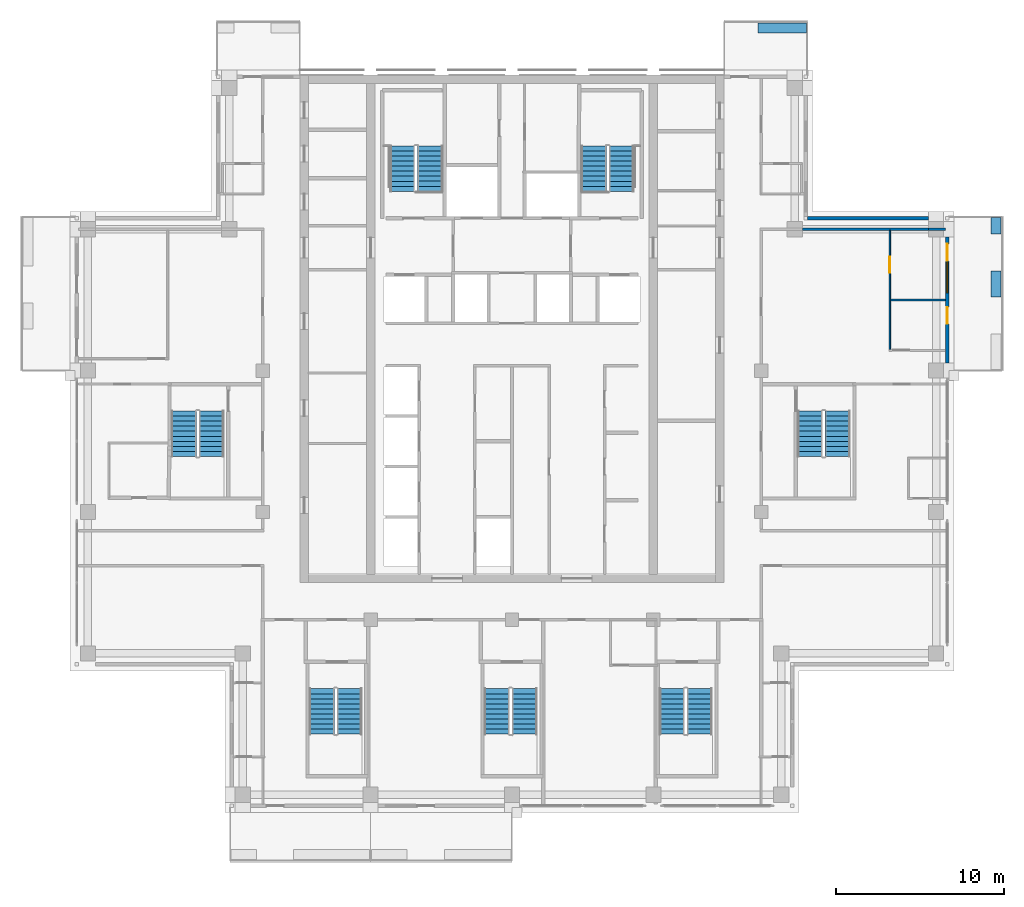
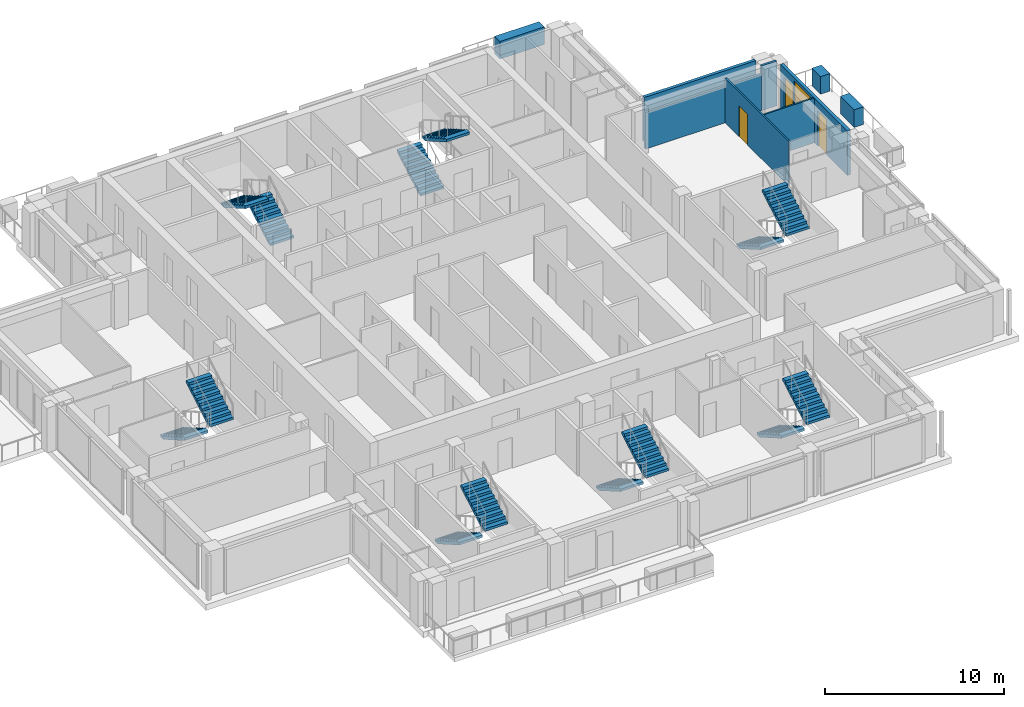
# One storey, part 12 of 15: 14 stair flights, 9 walls, 3 doors, 1 window, 4 openings, 7 elements without a shape of their own.
"""IFC4 building model written with IfcOpenShell, lengths in metres."""

from ifc_helpers import new_model, si_unit, direction, frame, frame_2d, origin, place, context, subcontext, project, spatial, polyline, rectangle, outline, extrude, material, layer, layer_set, type_object, element, fill, aggregate, save


model = new_model("IFC4")

# Units and contexts
model_context = context("Model", 3, precision=1e-05, world=origin(), true_north=direction((0.0, 1.0)))
body_context = subcontext(model_context, "Body", "Model", "MODEL_VIEW")
ifc_project = project(units=[si_unit("LENGTHUNIT", "METRE"), si_unit("AREAUNIT", "SQUARE_METRE"), si_unit("VOLUMEUNIT", "CUBIC_METRE"), si_unit("PLANEANGLEUNIT", "RADIAN"), si_unit("MASSUNIT", "GRAM", prefix="KILO")], contexts=[model_context])

# Site, building, storey
site_placement = place(None, origin())
site = spatial("IfcSite", under=ifc_project, at=site_placement, CompositionType="ELEMENT")
building_placement = place(site_placement, origin())
building = spatial("IfcBuilding", under=site, at=building_placement, Name="Vermilion Ogive Tower", CompositionType="ELEMENT")
storey_placement = place(building_placement, frame((0.0, 0.0, 237.25)))
storey = spatial("IfcBuildingStorey", under=building, at=storey_placement, Name="L62", CompositionType="ELEMENT", Elevation=237.25)

# Wall
ifc_material_1 = material(Name="Gypsum board partition on steel studs", Category="steel")
ifc_layer_1 = layer(ifc_material_1, 0.10009765625)
ifc_layer_set_1 = layer_set([ifc_layer_1], Name="Partition 100 inner")
wall_type_1 = type_object("IfcWallType", Name="Partition 100 inner", PredefinedType="PARTITIONING", material=ifc_layer_set_1)
wall_1_placement = place(storey_placement, frame((22.5, 8.39990234375, 0.0), z_axis=(0.0, 0.0, 1.0), x_axis=(1.0, 0.0, 0.0)))
element("IfcWall", 1, at=wall_1_placement, inside=storey, type_object=wall_type_1, Name="L62-W-W031", PredefinedType="PARTITIONING", context=body_context, shape_type="SweptSolid", body=[
    extrude(rectangle(XDim=3.25, YDim=0.10009765625, at=frame_2d((1.625, 0.0))), origin(), (0.0, 0.0, 1.0), 3.050048828125),
])

# Wall, opening, door
wall_2_placement = place(storey_placement, frame((22.449951171875, 5.449951171875, 0.0), z_axis=(0.0, 0.0, 1.0), x_axis=(0.0, 1.0, 0.0)))
wall_2 = element("IfcWall", 2, at=wall_2_placement, inside=storey, type_object=wall_type_1, Name="L62-W-W075", PredefinedType="PARTITIONING", context=body_context, shape_type="SweptSolid", body=[
    extrude(rectangle(XDim=7.074951171875, YDim=0.10009765625, at=frame_2d((3.53759765625, 0.0))), origin(), (0.0, 0.0, 1.0), 3.050048828125),
])
opening_1_placement = place(wall_2_placement, frame((4.574951171875, 0.0, 0.0)))
opening_1 = element("IfcOpeningElement", 3, at=opening_1_placement, cuts=wall_2, Name="Opening D5G2017", PredefinedType="OPENING", context=body_context, shape_type="SweptSolid", body=[
    extrude(rectangle(XDim=0.949951171875, YDim=2.10009765625, at=frame_2d((0.47509765625, 1.050048828125))), frame((0.0, 0.06005859375, 0.0), z_axis=(0.0, -1.0, 0.0), x_axis=(1.0, 0.0, 0.0)), (0.0, 0.0, 1.0), 0.1201171875),
])
ifc_material_2 = material(Name="Timber door leaf", Category="wood")
door_type_1 = type_object("IfcDoorType", Name="Inner door 950 x 2100 FD30", OperationType="SINGLE_SWING_LEFT", PredefinedType="DOOR", material=ifc_material_2)
door_1_placement = place(opening_1_placement, origin())
door_1 = element("IfcDoor", 4, at=door_1_placement, inside=storey, type_object=door_type_1, Name="L62-D-D017", OperationType="SINGLE_SWING_RIGHT", OverallHeight=2.10009765625, OverallWidth=0.949951171875, PredefinedType="DOOR", context=body_context, shape_type="SweptSolid", body=[
    extrude(rectangle(XDim=0.949951171875, YDim=2.10009765625, at=frame_2d((0.47509765625, 1.050048828125))), frame((0.0, 0.02490234375, 0.0), z_axis=(0.0, -1.0, 0.0), x_axis=(1.0, 0.0, 0.0)), (0.0, 0.0, 1.0), 0.050048828125),
])
fill(opening_1, door_1)

# Walls
ifc_material_3 = material(Name="Gypsum board partition on steel studs", Category="steel")
ifc_layer_2 = layer(ifc_material_3, 0.14990234375)
ifc_layer_set_2 = layer_set([ifc_layer_2], Name="Partition 150 corridor")
wall_type_2 = type_object("IfcWallType", Name="Partition 150 corridor", PredefinedType="PARTITIONING", material=ifc_layer_set_2)
wall_3_placement = place(storey_placement, frame((17.25, 12.60009765625, 0.0), z_axis=(0.0, 0.0, 1.0), x_axis=(1.0, 0.0, 0.0)))
element("IfcWall", 5, at=wall_3_placement, inside=storey, type_object=wall_type_2, Name="L62-W-W033-h1", PredefinedType="PARTITIONING", context=body_context, shape_type="SweptSolid", body=[
    extrude(rectangle(XDim=7.5, YDim=0.14990234375, at=frame_2d((3.75, 0.0))), origin(), (0.0, 0.0, 1.0), 2.5),
])
wall_4_placement = place(storey_placement, frame((24.75, 12.60009765625, 0.0), z_axis=(0.0, 0.0, 1.0), x_axis=(1.0, 0.0, 0.0)))
element("IfcWall", 6, at=wall_4_placement, inside=storey, type_object=wall_type_2, Name="L62-W-W033-h2", PredefinedType="PARTITIONING", context=body_context, shape_type="SweptSolid", body=[
    extrude(rectangle(XDim=1.0, YDim=0.14990234375, at=frame_2d((0.5, 0.0))), origin(), (0.0, 0.0, 1.0), 3.050048828125),
])
ifc_material_4 = material(Name="Concrete B40", Category="concrete")
ifc_layer_3 = layer(ifc_material_4, 0.60009765625)
ifc_layer_set_3 = layer_set([ifc_layer_3], Name="Structural planter")
wall_type_3 = type_object("IfcWallType", Name="Structural planter", PredefinedType="USERDEFINED", material=ifc_layer_set_3)
wall_5_placement = place(storey_placement, frame((28.75, 8.574951171875, -0.0400390625), z_axis=(0.0, 0.0, 1.0), x_axis=(0.0, 1.0, 0.0)))
element("IfcWall", 7, at=wall_5_placement, inside=storey, type_object=wall_type_3, Name="Planter E03A2", ObjectType="PLANTER", PredefinedType="USERDEFINED", context=body_context, shape_type="SweptSolid", body=[
    extrude(rectangle(XDim=1.550048828125, YDim=0.60009765625, at=frame_2d((0.77490234375, 0.0))), origin(), (0.0, 0.0, 1.0), 1.199951171875),
])
wall_6_placement = place(storey_placement, frame((28.75, 12.324951171875, -0.0400390625), z_axis=(0.0, 0.0, 1.0), x_axis=(0.0, 1.0, 0.0)))
element("IfcWall", 8, at=wall_6_placement, inside=storey, type_object=wall_type_3, Name="Planter E03A3", ObjectType="PLANTER", PredefinedType="USERDEFINED", context=body_context, shape_type="SweptSolid", body=[
    extrude(rectangle(XDim=0.965087890625, YDim=0.60009765625, at=frame_2d((0.482421875, 0.0))), origin(), (0.0, 0.0, 1.0), 1.199951171875),
])
wall_7_placement = place(storey_placement, frame((17.489990234375, 24.550048828125, -0.0400390625), z_axis=(0.0, 0.0, 1.0), x_axis=(-1.0, 0.0, 0.0)))
element("IfcWall", 9, at=wall_7_placement, inside=storey, type_object=wall_type_3, Name="Planter N101A1", ObjectType="PLANTER", PredefinedType="USERDEFINED", context=body_context, shape_type="SweptSolid", body=[
    extrude(rectangle(XDim=2.864990234375, YDim=0.60009765625, at=frame_2d((1.4326171875, 0.0))), origin(), (0.0, 0.0, 1.0), 1.199951171875),
])

# Wall, openings, doors, window
ifc_material_5 = material(Name="Aluminium window wall framing", Category="aluminium")
ifc_layer_4 = layer(ifc_material_5, 0.199951171875)
ifc_layer_set_4 = layer_set([ifc_layer_4], Name="Window wall")
wall_type_4 = type_object("IfcWallType", Name="Window wall", PredefinedType="STANDARD", material=ifc_layer_set_4)
wall_8_placement = place(storey_placement, frame((25.85009765625, 4.64990234375, 0.0), z_axis=(0.0, 0.0, 1.0), x_axis=(0.0, 1.0, 0.0)))
wall_8 = element("IfcWall", 10, at=wall_8_placement, inside=storey, type_object=wall_type_4, Name="Window wall E3", PredefinedType="STANDARD", context=body_context, shape_type="SweptSolid", body=[
    extrude(rectangle(XDim=7.5, YDim=0.199951171875, at=frame_2d((3.75, 0.0))), origin(), (0.0, 0.0, 1.0), 3.050048828125),
])
opening_2_placement = place(wall_8_placement, frame((2.324951171875, 0.0, 0.0)))
opening_2 = element("IfcOpeningElement", 11, at=opening_2_placement, cuts=wall_8, Name="Opening D1-E01", PredefinedType="OPENING", context=body_context, shape_type="SweptSolid", body=[
    extrude(rectangle(XDim=1.0, YDim=2.39990234375, at=frame_2d((0.5, 1.199951171875))), frame((0.0, 0.10986328125, 0.0), z_axis=(0.0, -1.0, 0.0), x_axis=(1.0, 0.0, 0.0)), (0.0, 0.0, 1.0), 0.219970703125),
])
opening_3_placement = place(wall_8_placement, frame((4.175048828125, 0.0, 0.199951171875)))
opening_3 = element("IfcOpeningElement", 12, at=opening_3_placement, cuts=wall_8, Name="Opening W1-E02", PredefinedType="OPENING", context=body_context, shape_type="SweptSolid", body=[
    extrude(rectangle(XDim=1.800048828125, YDim=2.64990234375, at=frame_2d((0.89990234375, 1.324951171875))), frame((0.0, 0.10986328125, 0.0), z_axis=(0.0, -1.0, 0.0), x_axis=(1.0, 0.0, 0.0)), (0.0, 0.0, 1.0), 0.219970703125),
])
opening_4_placement = place(wall_8_placement, frame((6.074951171875, 0.0, 0.0)))
opening_4 = element("IfcOpeningElement", 13, at=opening_4_placement, cuts=wall_8, Name="Opening D1-E02", PredefinedType="OPENING", context=body_context, shape_type="SweptSolid", body=[
    extrude(rectangle(XDim=1.0, YDim=2.39990234375, at=frame_2d((0.5, 1.199951171875))), frame((0.0, 0.10986328125, 0.0), z_axis=(0.0, -1.0, 0.0), x_axis=(1.0, 0.0, 0.0)), (0.0, 0.0, 1.0), 0.219970703125),
])
ifc_material_6 = material(Name="Aluminium framed glazed door", Category="aluminium")
door_type_2 = type_object("IfcDoorType", Name="Balcony door D1", OperationType="SINGLE_SWING_LEFT", PredefinedType="DOOR", material=ifc_material_6)
door_2_placement = place(opening_2_placement, origin())
door_2 = element("IfcDoor", 14, at=door_2_placement, inside=storey, type_object=door_type_2, Name="Balcony door E01", OperationType="SINGLE_SWING_LEFT", OverallHeight=2.39990234375, OverallWidth=1.0, PredefinedType="DOOR", context=body_context, shape_type="SweptSolid", body=[
    extrude(rectangle(XDim=1.0, YDim=2.39990234375, at=frame_2d((0.5, 1.199951171875))), frame((0.0, 0.02490234375, 0.0), z_axis=(0.0, -1.0, 0.0), x_axis=(1.0, 0.0, 0.0)), (0.0, 0.0, 1.0), 0.050048828125),
])
fill(opening_2, door_2)
door_3_placement = place(opening_4_placement, origin())
door_3 = element("IfcDoor", 15, at=door_3_placement, inside=storey, type_object=door_type_2, Name="Balcony door E02", OperationType="SINGLE_SWING_LEFT", OverallHeight=2.39990234375, OverallWidth=1.0, PredefinedType="DOOR", context=body_context, shape_type="SweptSolid", body=[
    extrude(rectangle(XDim=1.0, YDim=2.39990234375, at=frame_2d((0.5, 1.199951171875))), frame((0.0, 0.02490234375, 0.0), z_axis=(0.0, -1.0, 0.0), x_axis=(1.0, 0.0, 0.0)), (0.0, 0.0, 1.0), 0.050048828125),
])
fill(opening_4, door_3)
ifc_material_7 = material(Name="Aluminium framed double glazing", Category="aluminium")
window_type = type_object("IfcWindowType", Name="Guest window W1", PartitioningType="SINGLE_PANEL", PredefinedType="WINDOW", material=ifc_material_7)
window_placement = place(opening_3_placement, origin())
window = element("IfcWindow", 16, at=window_placement, inside=storey, type_object=window_type, Name="Window E02", OverallHeight=2.64990234375, OverallWidth=1.800048828125, PartitioningType="SINGLE_PANEL", PredefinedType="WINDOW", context=body_context, shape_type="SweptSolid", body=[
    extrude(rectangle(XDim=1.800048828125, YDim=2.64990234375, at=frame_2d((0.89990234375, 1.324951171875))), frame((0.0, 0.030029296875, 0.0), z_axis=(0.0, -1.0, 0.0), x_axis=(1.0, 0.0, 0.0)), (0.0, 0.0, 1.0), 0.06005859375),
])
fill(opening_3, window)

# Wall
wall_9_placement = place(storey_placement, frame((24.75, 13.25, 0.0), z_axis=(0.0, 0.0, 1.0), x_axis=(-1.0, 0.0, 0.0)))
element("IfcWall", 17, at=wall_9_placement, inside=storey, type_object=wall_type_4, Name="Window wall X31", PredefinedType="STANDARD", context=body_context, shape_type="SweptSolid", body=[
    extrude(rectangle(XDim=7.199951171875, YDim=0.199951171875, at=frame_2d((3.60009765625, 0.0))), origin(), (0.0, 0.0, 1.0), 3.050048828125),
])

# Stair, stair flights
ifc_material_8 = material(Name="Concrete B40", Category="concrete")
stair_type = type_object("IfcStairType", Name="Exit stair 1500", PredefinedType="HALF_TURN_STAIR", material=ifc_material_8)
stair_1_placement = place(storey_placement, origin())
stair_1 = element("IfcStair", 18, at=stair_1_placement, inside=storey, type_object=stair_type, Name="L62 Exit Stair ST1", PredefinedType="HALF_TURN_STAIR")
ifc_material_9 = material(Name="Concrete B40", Category="concrete")
stair_flight_type = type_object("IfcStairFlightType", Name="Stair flight 1500", PredefinedType="STRAIGHT", material=ifc_material_9)
stair_flight_1_placement = place(storey_placement, frame((-4.85009765625, 14.85009765625, 0.0), z_axis=(0.0, 0.0, 1.0), x_axis=(0.0, 1.0, 0.0)))
stair_flight_1 = element("IfcStairFlight", 19, at=stair_flight_1_placement, type_object=stair_flight_type, Name="ST1 flight 1", NumberOfRisers=10, NumberOfTreads=9, PredefinedType="STRAIGHT", RiserHeight=0.1725, TreadLength=0.3, context=body_context, shape_type="SweptSolid", body=[
    extrude(outline(polyline([(0.0, 0.0), (0.0, 0.172607421875), (0.300048828125, 0.172607421875), (0.300048828125, 0.344970703125), (0.60009765625, 0.344970703125), (0.60009765625, 0.517578125), (0.89990234375, 0.517578125), (0.89990234375, 0.68994140625), (1.199951171875, 0.68994140625), (1.199951171875, 0.862548828125), (1.5, 0.862548828125), (1.5, 1.034912109375), (1.800048828125, 1.034912109375), (1.800048828125, 1.20751953125), (2.10009765625, 1.20751953125), (2.10009765625, 1.3798828125), (2.39990234375, 1.3798828125), (2.39990234375, 1.552490234375), (2.699951171875, 1.552490234375), (2.699951171875, 1.72509765625), (2.699951171875, 1.379638671875), (0.30078125, 0.0), (0.0, 0.0)])), frame((0.0, 0.75, 0.0), z_axis=(0.0, -1.0, 0.0), x_axis=(1.0, 0.0, 0.0)), (0.0, 0.0, 1.0), 1.5),
])
stair_flight_2_placement = place(storey_placement, frame((-6.5, 17.550048828125, 1.72509765625), z_axis=(0.0, 0.0, 1.0), x_axis=(0.0, -1.0, 0.0)))
stair_flight_2 = element("IfcStairFlight", 20, at=stair_flight_2_placement, type_object=stair_flight_type, Name="ST1 flight 2", NumberOfRisers=10, NumberOfTreads=9, PredefinedType="STRAIGHT", RiserHeight=0.1725, TreadLength=0.3, context=body_context, shape_type="SweptSolid", body=[
    extrude(outline(polyline([(0.0, 0.0), (0.0, 0.172607421875), (0.300048828125, 0.172607421875), (0.300048828125, 0.344970703125), (0.60009765625, 0.344970703125), (0.60009765625, 0.517578125), (0.89990234375, 0.517578125), (0.89990234375, 0.68994140625), (1.199951171875, 0.68994140625), (1.199951171875, 0.862548828125), (1.5, 0.862548828125), (1.5, 1.034912109375), (1.800048828125, 1.034912109375), (1.800048828125, 1.20751953125), (2.10009765625, 1.20751953125), (2.10009765625, 1.3798828125), (2.39990234375, 1.3798828125), (2.39990234375, 1.552490234375), (2.699951171875, 1.552490234375), (2.699951171875, 1.72509765625), (2.699951171875, 1.379638671875), (0.30078125, 0.0), (0.0, 0.0)])), frame((0.0, 0.75, 0.0), z_axis=(0.0, -1.0, 0.0), x_axis=(1.0, 0.0, 0.0)), (0.0, 0.0, 1.0), 1.5),
])
aggregate(stair_1, [stair_flight_1, stair_flight_2])

stair_2_placement = place(storey_placement, origin())
stair_2 = element("IfcStair", 21, at=stair_2_placement, inside=storey, type_object=stair_type, Name="L62 Exit Stair ST2", PredefinedType="HALF_TURN_STAIR")
stair_flight_3_placement = place(storey_placement, frame((4.85009765625, 14.85009765625, 0.0), z_axis=(0.0, 0.0, 1.0), x_axis=(0.0, 1.0, 0.0)))
stair_flight_3 = element("IfcStairFlight", 22, at=stair_flight_3_placement, type_object=stair_flight_type, Name="ST2 flight 1", NumberOfRisers=10, NumberOfTreads=9, PredefinedType="STRAIGHT", RiserHeight=0.1725, TreadLength=0.3, context=body_context, shape_type="SweptSolid", body=[
    extrude(outline(polyline([(0.0, 0.0), (0.0, 0.172607421875), (0.300048828125, 0.172607421875), (0.300048828125, 0.344970703125), (0.60009765625, 0.344970703125), (0.60009765625, 0.517578125), (0.89990234375, 0.517578125), (0.89990234375, 0.68994140625), (1.199951171875, 0.68994140625), (1.199951171875, 0.862548828125), (1.5, 0.862548828125), (1.5, 1.034912109375), (1.800048828125, 1.034912109375), (1.800048828125, 1.20751953125), (2.10009765625, 1.20751953125), (2.10009765625, 1.3798828125), (2.39990234375, 1.3798828125), (2.39990234375, 1.552490234375), (2.699951171875, 1.552490234375), (2.699951171875, 1.72509765625), (2.699951171875, 1.379638671875), (0.30078125, 0.0), (0.0, 0.0)])), frame((0.0, 0.75, 0.0), z_axis=(0.0, -1.0, 0.0), x_axis=(1.0, 0.0, 0.0)), (0.0, 0.0, 1.0), 1.5),
])
stair_flight_4_placement = place(storey_placement, frame((6.5, 17.550048828125, 1.72509765625), z_axis=(0.0, 0.0, 1.0), x_axis=(0.0, -1.0, 0.0)))
stair_flight_4 = element("IfcStairFlight", 23, at=stair_flight_4_placement, type_object=stair_flight_type, Name="ST2 flight 2", NumberOfRisers=10, NumberOfTreads=9, PredefinedType="STRAIGHT", RiserHeight=0.1725, TreadLength=0.3, context=body_context, shape_type="SweptSolid", body=[
    extrude(outline(polyline([(0.0, 0.0), (0.0, 0.172607421875), (0.300048828125, 0.172607421875), (0.300048828125, 0.344970703125), (0.60009765625, 0.344970703125), (0.60009765625, 0.517578125), (0.89990234375, 0.517578125), (0.89990234375, 0.68994140625), (1.199951171875, 0.68994140625), (1.199951171875, 0.862548828125), (1.5, 0.862548828125), (1.5, 1.034912109375), (1.800048828125, 1.034912109375), (1.800048828125, 1.20751953125), (2.10009765625, 1.20751953125), (2.10009765625, 1.3798828125), (2.39990234375, 1.3798828125), (2.39990234375, 1.552490234375), (2.699951171875, 1.552490234375), (2.699951171875, 1.72509765625), (2.699951171875, 1.379638671875), (0.30078125, 0.0), (0.0, 0.0)])), frame((0.0, 0.75, 0.0), z_axis=(0.0, -1.0, 0.0), x_axis=(1.0, 0.0, 0.0)), (0.0, 0.0, 1.0), 1.5),
])
aggregate(stair_2, [stair_flight_3, stair_flight_4])

stair_3_placement = place(storey_placement, origin())
stair_3 = element("IfcStair", 24, at=stair_3_placement, inside=storey, type_object=stair_type, Name="L62 Exit Stair ST3", PredefinedType="HALF_TURN_STAIR")
stair_flight_5_placement = place(storey_placement, frame((-11.300048828125, -14.699951171875, 0.0), z_axis=(0.0, 0.0, 1.0), x_axis=(0.0, -1.0, 0.0)))
stair_flight_5 = element("IfcStairFlight", 25, at=stair_flight_5_placement, type_object=stair_flight_type, Name="ST3 flight 1", NumberOfRisers=10, NumberOfTreads=9, PredefinedType="STRAIGHT", RiserHeight=0.1725, TreadLength=0.3, context=body_context, shape_type="SweptSolid", body=[
    extrude(outline(polyline([(0.0, 0.0), (0.0, 0.172607421875), (0.300048828125, 0.172607421875), (0.300048828125, 0.344970703125), (0.60009765625, 0.344970703125), (0.60009765625, 0.517578125), (0.89990234375, 0.517578125), (0.89990234375, 0.68994140625), (1.199951171875, 0.68994140625), (1.199951171875, 0.862548828125), (1.5, 0.862548828125), (1.5, 1.034912109375), (1.800048828125, 1.034912109375), (1.800048828125, 1.20751953125), (2.10009765625, 1.20751953125), (2.10009765625, 1.3798828125), (2.39990234375, 1.3798828125), (2.39990234375, 1.552490234375), (2.699951171875, 1.552490234375), (2.699951171875, 1.72509765625), (2.699951171875, 1.379638671875), (0.30078125, 0.0), (0.0, 0.0)])), frame((0.0, 0.75, 0.0), z_axis=(0.0, -1.0, 0.0), x_axis=(1.0, 0.0, 0.0)), (0.0, 0.0, 1.0), 1.5),
])
stair_flight_6_placement = place(storey_placement, frame((-9.64990234375, -17.39990234375, 1.72509765625), z_axis=(0.0, 0.0, 1.0), x_axis=(0.0, 1.0, 0.0)))
stair_flight_6 = element("IfcStairFlight", 26, at=stair_flight_6_placement, type_object=stair_flight_type, Name="ST3 flight 2", NumberOfRisers=10, NumberOfTreads=9, PredefinedType="STRAIGHT", RiserHeight=0.1725, TreadLength=0.3, context=body_context, shape_type="SweptSolid", body=[
    extrude(outline(polyline([(0.0, 0.0), (0.0, 0.172607421875), (0.300048828125, 0.172607421875), (0.300048828125, 0.344970703125), (0.60009765625, 0.344970703125), (0.60009765625, 0.517578125), (0.89990234375, 0.517578125), (0.89990234375, 0.68994140625), (1.199951171875, 0.68994140625), (1.199951171875, 0.862548828125), (1.5, 0.862548828125), (1.5, 1.034912109375), (1.800048828125, 1.034912109375), (1.800048828125, 1.20751953125), (2.10009765625, 1.20751953125), (2.10009765625, 1.3798828125), (2.39990234375, 1.3798828125), (2.39990234375, 1.552490234375), (2.699951171875, 1.552490234375), (2.699951171875, 1.72509765625), (2.699951171875, 1.379638671875), (0.30078125, 0.0), (0.0, 0.0)])), frame((0.0, 0.75, 0.0), z_axis=(0.0, -1.0, 0.0), x_axis=(1.0, 0.0, 0.0)), (0.0, 0.0, 1.0), 1.5),
])
aggregate(stair_3, [stair_flight_5, stair_flight_6])

stair_4_placement = place(storey_placement, origin())
stair_4 = element("IfcStair", 27, at=stair_4_placement, inside=storey, type_object=stair_type, Name="L62 Exit Stair ST4", PredefinedType="HALF_TURN_STAIR")
stair_flight_7_placement = place(storey_placement, frame((-0.89990234375, -14.699951171875, 0.0), z_axis=(0.0, 0.0, 1.0), x_axis=(0.0, -1.0, 0.0)))
stair_flight_7 = element("IfcStairFlight", 28, at=stair_flight_7_placement, type_object=stair_flight_type, Name="ST4 flight 1", NumberOfRisers=10, NumberOfTreads=9, PredefinedType="STRAIGHT", RiserHeight=0.1725, TreadLength=0.3, context=body_context, shape_type="SweptSolid", body=[
    extrude(outline(polyline([(0.0, 0.0), (0.0, 0.172607421875), (0.300048828125, 0.172607421875), (0.300048828125, 0.344970703125), (0.60009765625, 0.344970703125), (0.60009765625, 0.517578125), (0.89990234375, 0.517578125), (0.89990234375, 0.68994140625), (1.199951171875, 0.68994140625), (1.199951171875, 0.862548828125), (1.5, 0.862548828125), (1.5, 1.034912109375), (1.800048828125, 1.034912109375), (1.800048828125, 1.20751953125), (2.10009765625, 1.20751953125), (2.10009765625, 1.3798828125), (2.39990234375, 1.3798828125), (2.39990234375, 1.552490234375), (2.699951171875, 1.552490234375), (2.699951171875, 1.72509765625), (2.699951171875, 1.379638671875), (0.30078125, 0.0), (0.0, 0.0)])), frame((0.0, 0.75, 0.0), z_axis=(0.0, -1.0, 0.0), x_axis=(1.0, 0.0, 0.0)), (0.0, 0.0, 1.0), 1.5),
])
stair_flight_8_placement = place(storey_placement, frame((0.75, -17.39990234375, 1.72509765625), z_axis=(0.0, 0.0, 1.0), x_axis=(0.0, 1.0, 0.0)))
stair_flight_8 = element("IfcStairFlight", 29, at=stair_flight_8_placement, type_object=stair_flight_type, Name="ST4 flight 2", NumberOfRisers=10, NumberOfTreads=9, PredefinedType="STRAIGHT", RiserHeight=0.1725, TreadLength=0.3, context=body_context, shape_type="SweptSolid", body=[
    extrude(outline(polyline([(0.0, 0.0), (0.0, 0.172607421875), (0.300048828125, 0.172607421875), (0.300048828125, 0.344970703125), (0.60009765625, 0.344970703125), (0.60009765625, 0.517578125), (0.89990234375, 0.517578125), (0.89990234375, 0.68994140625), (1.199951171875, 0.68994140625), (1.199951171875, 0.862548828125), (1.5, 0.862548828125), (1.5, 1.034912109375), (1.800048828125, 1.034912109375), (1.800048828125, 1.20751953125), (2.10009765625, 1.20751953125), (2.10009765625, 1.3798828125), (2.39990234375, 1.3798828125), (2.39990234375, 1.552490234375), (2.699951171875, 1.552490234375), (2.699951171875, 1.72509765625), (2.699951171875, 1.379638671875), (0.30078125, 0.0), (0.0, 0.0)])), frame((0.0, 0.75, 0.0), z_axis=(0.0, -1.0, 0.0), x_axis=(1.0, 0.0, 0.0)), (0.0, 0.0, 1.0), 1.5),
])
aggregate(stair_4, [stair_flight_7, stair_flight_8])

stair_5_placement = place(storey_placement, origin())
stair_5 = element("IfcStair", 30, at=stair_5_placement, inside=storey, type_object=stair_type, Name="L62 Exit Stair ST5", PredefinedType="HALF_TURN_STAIR")
stair_flight_9_placement = place(storey_placement, frame((9.5, -14.699951171875, 0.0), z_axis=(0.0, 0.0, 1.0), x_axis=(0.0, -1.0, 0.0)))
stair_flight_9 = element("IfcStairFlight", 31, at=stair_flight_9_placement, type_object=stair_flight_type, Name="ST5 flight 1", NumberOfRisers=10, NumberOfTreads=9, PredefinedType="STRAIGHT", RiserHeight=0.1725, TreadLength=0.3, context=body_context, shape_type="SweptSolid", body=[
    extrude(outline(polyline([(0.0, 0.0), (0.0, 0.172607421875), (0.300048828125, 0.172607421875), (0.300048828125, 0.344970703125), (0.60009765625, 0.344970703125), (0.60009765625, 0.517578125), (0.89990234375, 0.517578125), (0.89990234375, 0.68994140625), (1.199951171875, 0.68994140625), (1.199951171875, 0.862548828125), (1.5, 0.862548828125), (1.5, 1.034912109375), (1.800048828125, 1.034912109375), (1.800048828125, 1.20751953125), (2.10009765625, 1.20751953125), (2.10009765625, 1.3798828125), (2.39990234375, 1.3798828125), (2.39990234375, 1.552490234375), (2.699951171875, 1.552490234375), (2.699951171875, 1.72509765625), (2.699951171875, 1.379638671875), (0.30078125, 0.0), (0.0, 0.0)])), frame((0.0, 0.75, 0.0), z_axis=(0.0, -1.0, 0.0), x_axis=(1.0, 0.0, 0.0)), (0.0, 0.0, 1.0), 1.5),
])
stair_flight_10_placement = place(storey_placement, frame((11.14990234375, -17.39990234375, 1.72509765625), z_axis=(0.0, 0.0, 1.0), x_axis=(0.0, 1.0, 0.0)))
stair_flight_10 = element("IfcStairFlight", 32, at=stair_flight_10_placement, type_object=stair_flight_type, Name="ST5 flight 2", NumberOfRisers=10, NumberOfTreads=9, PredefinedType="STRAIGHT", RiserHeight=0.1725, TreadLength=0.3, context=body_context, shape_type="SweptSolid", body=[
    extrude(outline(polyline([(0.0, 0.0), (0.0, 0.172607421875), (0.300048828125, 0.172607421875), (0.300048828125, 0.344970703125), (0.60009765625, 0.344970703125), (0.60009765625, 0.517578125), (0.89990234375, 0.517578125), (0.89990234375, 0.68994140625), (1.199951171875, 0.68994140625), (1.199951171875, 0.862548828125), (1.5, 0.862548828125), (1.5, 1.034912109375), (1.800048828125, 1.034912109375), (1.800048828125, 1.20751953125), (2.10009765625, 1.20751953125), (2.10009765625, 1.3798828125), (2.39990234375, 1.3798828125), (2.39990234375, 1.552490234375), (2.699951171875, 1.552490234375), (2.699951171875, 1.72509765625), (2.699951171875, 1.379638671875), (0.30078125, 0.0), (0.0, 0.0)])), frame((0.0, 0.75, 0.0), z_axis=(0.0, -1.0, 0.0), x_axis=(1.0, 0.0, 0.0)), (0.0, 0.0, 1.0), 1.5),
])
aggregate(stair_5, [stair_flight_9, stair_flight_10])

stair_6_placement = place(storey_placement, origin())
stair_6 = element("IfcStair", 33, at=stair_6_placement, inside=storey, type_object=stair_type, Name="L62 Exit Stair ST8", PredefinedType="HALF_TURN_STAIR")
stair_flight_11_placement = place(storey_placement, frame((17.699951171875, 1.800048828125, 0.0), z_axis=(0.0, 0.0, 1.0), x_axis=(0.0, -1.0, 0.0)))
stair_flight_11 = element("IfcStairFlight", 34, at=stair_flight_11_placement, type_object=stair_flight_type, Name="ST8 flight 1", NumberOfRisers=10, NumberOfTreads=9, PredefinedType="STRAIGHT", RiserHeight=0.1725, TreadLength=0.3, context=body_context, shape_type="SweptSolid", body=[
    extrude(outline(polyline([(0.0, 0.0), (0.0, 0.172607421875), (0.300048828125, 0.172607421875), (0.300048828125, 0.344970703125), (0.60009765625, 0.344970703125), (0.60009765625, 0.517578125), (0.89990234375, 0.517578125), (0.89990234375, 0.68994140625), (1.199951171875, 0.68994140625), (1.199951171875, 0.862548828125), (1.5, 0.862548828125), (1.5, 1.034912109375), (1.800048828125, 1.034912109375), (1.800048828125, 1.20751953125), (2.10009765625, 1.20751953125), (2.10009765625, 1.3798828125), (2.39990234375, 1.3798828125), (2.39990234375, 1.552490234375), (2.699951171875, 1.552490234375), (2.699951171875, 1.72509765625), (2.699951171875, 1.379638671875), (0.30078125, 0.0), (0.0, 0.0)])), frame((0.0, 0.75, 0.0), z_axis=(0.0, -1.0, 0.0), x_axis=(1.0, 0.0, 0.0)), (0.0, 0.0, 1.0), 1.5),
])
stair_flight_12_placement = place(storey_placement, frame((19.35009765625, -0.89990234375, 1.72509765625), z_axis=(0.0, 0.0, 1.0), x_axis=(0.0, 1.0, 0.0)))
stair_flight_12 = element("IfcStairFlight", 35, at=stair_flight_12_placement, type_object=stair_flight_type, Name="ST8 flight 2", NumberOfRisers=10, NumberOfTreads=9, PredefinedType="STRAIGHT", RiserHeight=0.1725, TreadLength=0.3, context=body_context, shape_type="SweptSolid", body=[
    extrude(outline(polyline([(0.0, 0.0), (0.0, 0.172607421875), (0.300048828125, 0.172607421875), (0.300048828125, 0.344970703125), (0.60009765625, 0.344970703125), (0.60009765625, 0.517578125), (0.89990234375, 0.517578125), (0.89990234375, 0.68994140625), (1.199951171875, 0.68994140625), (1.199951171875, 0.862548828125), (1.5, 0.862548828125), (1.5, 1.034912109375), (1.800048828125, 1.034912109375), (1.800048828125, 1.20751953125), (2.10009765625, 1.20751953125), (2.10009765625, 1.3798828125), (2.39990234375, 1.3798828125), (2.39990234375, 1.552490234375), (2.699951171875, 1.552490234375), (2.699951171875, 1.72509765625), (2.699951171875, 1.379638671875), (0.30078125, 0.0), (0.0, 0.0)])), frame((0.0, 0.75, 0.0), z_axis=(0.0, -1.0, 0.0), x_axis=(1.0, 0.0, 0.0)), (0.0, 0.0, 1.0), 1.5),
])
aggregate(stair_6, [stair_flight_11, stair_flight_12])

stair_7_placement = place(storey_placement, origin())
stair_7 = element("IfcStair", 36, at=stair_7_placement, inside=storey, type_object=stair_type, Name="L62 Exit Stair ST9", PredefinedType="HALF_TURN_STAIR")
stair_flight_13_placement = place(storey_placement, frame((-19.5, 1.800048828125, 0.0), z_axis=(0.0, 0.0, 1.0), x_axis=(0.0, -1.0, 0.0)))
stair_flight_13 = element("IfcStairFlight", 37, at=stair_flight_13_placement, type_object=stair_flight_type, Name="ST9 flight 1", NumberOfRisers=10, NumberOfTreads=9, PredefinedType="STRAIGHT", RiserHeight=0.1725, TreadLength=0.3, context=body_context, shape_type="SweptSolid", body=[
    extrude(outline(polyline([(0.0, 0.0), (0.0, 0.172607421875), (0.300048828125, 0.172607421875), (0.300048828125, 0.344970703125), (0.60009765625, 0.344970703125), (0.60009765625, 0.517578125), (0.89990234375, 0.517578125), (0.89990234375, 0.68994140625), (1.199951171875, 0.68994140625), (1.199951171875, 0.862548828125), (1.5, 0.862548828125), (1.5, 1.034912109375), (1.800048828125, 1.034912109375), (1.800048828125, 1.20751953125), (2.10009765625, 1.20751953125), (2.10009765625, 1.3798828125), (2.39990234375, 1.3798828125), (2.39990234375, 1.552490234375), (2.699951171875, 1.552490234375), (2.699951171875, 1.72509765625), (2.699951171875, 1.379638671875), (0.30078125, 0.0), (0.0, 0.0)])), frame((0.0, 0.75, 0.0), z_axis=(0.0, -1.0, 0.0), x_axis=(1.0, 0.0, 0.0)), (0.0, 0.0, 1.0), 1.5),
])
stair_flight_14_placement = place(storey_placement, frame((-17.85009765625, -0.89990234375, 1.72509765625), z_axis=(0.0, 0.0, 1.0), x_axis=(0.0, 1.0, 0.0)))
stair_flight_14 = element("IfcStairFlight", 38, at=stair_flight_14_placement, type_object=stair_flight_type, Name="ST9 flight 2", NumberOfRisers=10, NumberOfTreads=9, PredefinedType="STRAIGHT", RiserHeight=0.1725, TreadLength=0.3, context=body_context, shape_type="SweptSolid", body=[
    extrude(outline(polyline([(0.0, 0.0), (0.0, 0.172607421875), (0.300048828125, 0.172607421875), (0.300048828125, 0.344970703125), (0.60009765625, 0.344970703125), (0.60009765625, 0.517578125), (0.89990234375, 0.517578125), (0.89990234375, 0.68994140625), (1.199951171875, 0.68994140625), (1.199951171875, 0.862548828125), (1.5, 0.862548828125), (1.5, 1.034912109375), (1.800048828125, 1.034912109375), (1.800048828125, 1.20751953125), (2.10009765625, 1.20751953125), (2.10009765625, 1.3798828125), (2.39990234375, 1.3798828125), (2.39990234375, 1.552490234375), (2.699951171875, 1.552490234375), (2.699951171875, 1.72509765625), (2.699951171875, 1.379638671875), (0.30078125, 0.0), (0.0, 0.0)])), frame((0.0, 0.75, 0.0), z_axis=(0.0, -1.0, 0.0), x_axis=(1.0, 0.0, 0.0)), (0.0, 0.0, 1.0), 1.5),
])
aggregate(stair_7, [stair_flight_13, stair_flight_14])

save(model, "model.ifc")
